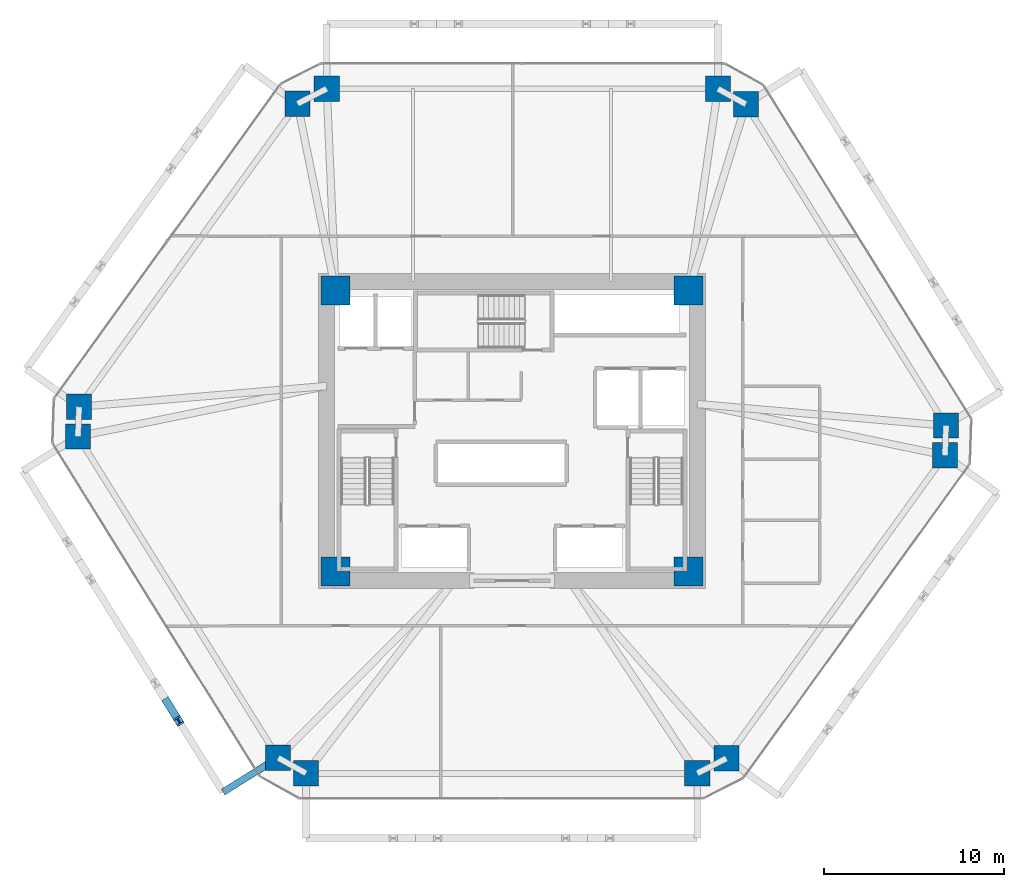
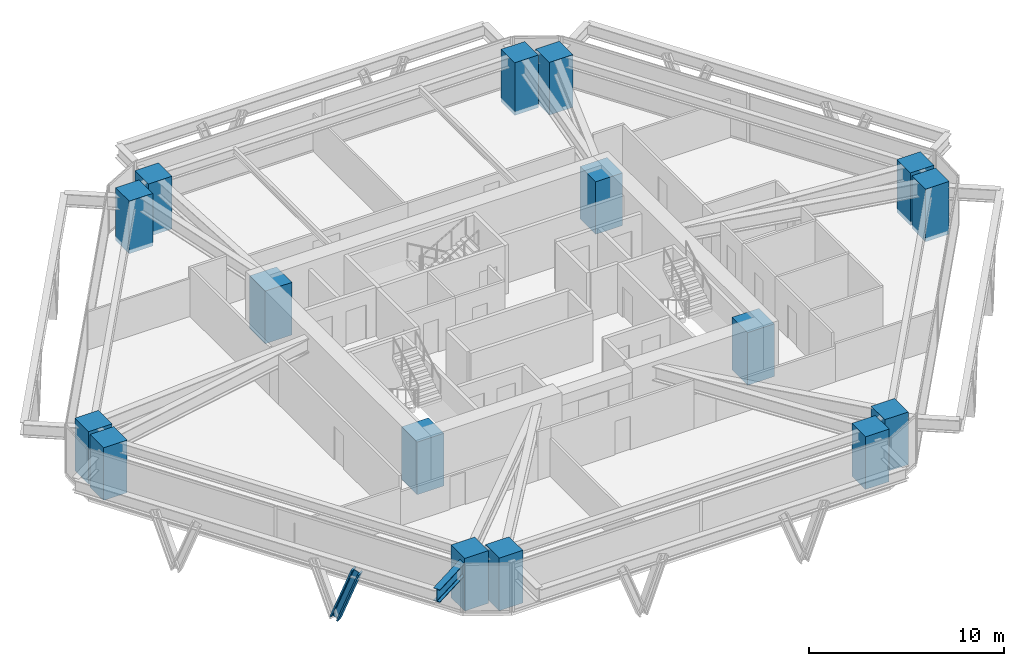
# One storey, part 1 of 14: 16 columns, 1 beam, 1 member.
"""IFC4 building model written with IfcOpenShell, lengths in metres."""

from ifc_helpers import new_model, si_unit, direction, frame, origin, origin_2d, place, context, subcontext, project, spatial, rectangle, i_section, extrude, source, transform, mapped, material, material_profile, profile_set, type_object, type_shapes, element, save


model = new_model("IFC4")

# Units and contexts
model_context = context("Model", 3, precision=1e-05, world=origin(), true_north=direction((0.0, 1.0)))
body_context = subcontext(model_context, "Body", "Model", "MODEL_VIEW")
ifc_project = project(units=[si_unit("LENGTHUNIT", "METRE"), si_unit("AREAUNIT", "SQUARE_METRE"), si_unit("VOLUMEUNIT", "CUBIC_METRE"), si_unit("PLANEANGLEUNIT", "RADIAN"), si_unit("MASSUNIT", "GRAM", prefix="KILO")], contexts=[model_context])

# Site, building, storey
site_placement = place(None, origin())
site = spatial("IfcSite", under=ifc_project, at=site_placement, CompositionType="ELEMENT")
building_placement = place(site_placement, origin())
building = spatial("IfcBuilding", under=site, at=building_placement, Name="Durnholm Broadcast Tower", CompositionType="ELEMENT")
storey_placement = place(building_placement, frame((0.0, 0.0, 35.699951171875)))
storey = spatial("IfcBuildingStorey", under=building, at=storey_placement, Name="L07", CompositionType="ELEMENT", Elevation=35.699951171875)

# Columns
ifc_material_1 = material(Name="Concrete C70/85", Category="concrete")
ifc_material_profile_1 = material_profile(ifc_material_1, rectangle(XDim=1.60009765625, YDim=1.60009765625, at=origin_2d()), Name="RC1600X1600")
ifc_profile_set_1 = profile_set([ifc_material_profile_1], Name="Concrete C70/85")
column_type_1 = type_object("IfcColumnType", Name="COL-CC-1600", PredefinedType="COLUMN", material=ifc_profile_set_1)
shared_shape_1 = source(origin(), body_context, "Body", "SweptSolid", [
    extrude(rectangle(XDim=1.60009765625, YDim=1.60009765625, at=origin_2d()), origin(), (0.0, 0.0, 1.0), 3.300048828125),
])
type_shapes(column_type_1, [shared_shape_1])
for number, where, z_axis, x_axis, name in (
    (1, (-9.800048828125, -7.800048828125, -0.239990234375), (0.0, 0.0, 1.0), (1.0, 0.0, 0.0), "L07 core corner column 1"),
    (2, (9.800048828125, -7.800048828125, -0.239990234375), (0.0, 0.0, 1.0), (1.0, 0.0, 0.0), "L07 core corner column 2"),
    (3, (9.800048828125, 7.800048828125, -0.239990234375), (0.0, 0.0, 1.0), (1.0, 0.0, 0.0), "L07 core corner column 3"),
    (4, (-9.800048828125, 7.800048828125, -0.239990234375), (0.0, 0.0, 1.0), (1.0, 0.0, 0.0), "L07 core corner column 4"),
):
    element("IfcColumn", number, at=place(storey_placement, frame(where, z_axis=z_axis, x_axis=x_axis)), inside=storey, type_object=column_type_1, Name=name, PredefinedType="COLUMN", context=body_context, shape_type="MappedRepresentation", body=[
        mapped(shared_shape_1, transform((0.0, 0.0, 0.0), x_axis=(1.0, 0.0, 0.0), y_axis=(0.0, 1.0, 0.0), z_axis=(0.0, 0.0, 1.0), scale=1.0)),
    ])
ifc_material_profile_2 = material_profile(ifc_material_1, rectangle(XDim=1.39990234375, YDim=1.39990234375, at=origin_2d()), Name="RC1400X1400")
ifc_profile_set_2 = profile_set([ifc_material_profile_2], Name="Concrete C70/85")
column_type_2 = type_object("IfcColumnType", Name="COL-CC-1400", PredefinedType="COLUMN", material=ifc_profile_set_2)
shared_shape_2 = source(origin(), body_context, "Body", "SweptSolid", [
    extrude(rectangle(XDim=1.39990234375, YDim=1.39990234375, at=origin_2d()), origin(), (0.0, 0.0, 1.0), 3.300048828125),
])
type_shapes(column_type_2, [shared_shape_2])
for number, where, z_axis, x_axis, name in (
    (5, (-12.982666015625, -18.138427734375, -0.239990234375), (0.0, 0.0, 1.0), (1.0, 0.0, 0.0), "L07 perimeter hexagonal tube column 01"),
    (6, (-24.0908203125, -0.2998046875, -0.239990234375), (0.0, 0.0, 1.0), (1.0, 0.0, 0.0), "L07 perimeter hexagonal tube column 02"),
    (7, (-24.034912109375, 1.347412109375, -0.239990234375), (0.0, 0.0, 1.0), (1.0, 0.0, 0.0), "L07 perimeter hexagonal tube column 03"),
    (8, (-11.907470703125, 18.16845703125, -0.239990234375), (0.0, 0.0, 1.0), (1.0, 0.0, 0.0), "L07 perimeter hexagonal tube column 04"),
    (9, (-10.28271484375, 19.0, -0.239990234375), (0.0, 0.0, 1.0), (1.0, 0.0, 0.0), "L07 perimeter hexagonal tube column 05"),
    (10, (11.43115234375, 19.0, -0.239990234375), (0.0, 0.0, 1.0), (1.0, 0.0, 0.0), "L07 perimeter hexagonal tube column 06"),
    (11, (12.982666015625, 18.138427734375, -0.239990234375), (0.0, 0.0, 1.0), (1.0, 0.0, 0.0), "L07 perimeter hexagonal tube column 07"),
    (12, (24.0908203125, 0.2998046875, -0.239990234375), (0.0, 0.0, 1.0), (1.0, 0.0, 0.0), "L07 perimeter hexagonal tube column 08"),
    (13, (24.034912109375, -1.347412109375, -0.239990234375), (0.0, 0.0, 1.0), (1.0, 0.0, 0.0), "L07 perimeter hexagonal tube column 09"),
    (14, (11.907470703125, -18.16845703125, -0.239990234375), (0.0, 0.0, 1.0), (1.0, 0.0, 0.0), "L07 perimeter hexagonal tube column 10"),
    (15, (10.28271484375, -19.0, -0.239990234375), (0.0, 0.0, 1.0), (1.0, 0.0, 0.0), "L07 perimeter hexagonal tube column 11"),
    (16, (-11.43115234375, -19.0, -0.239990234375), (0.0, 0.0, 1.0), (1.0, 0.0, 0.0), "L07 perimeter hexagonal tube column 12"),
):
    element("IfcColumn", number, at=place(storey_placement, frame(where, z_axis=z_axis, x_axis=x_axis)), inside=storey, type_object=column_type_2, Name=name, PredefinedType="COLUMN", context=body_context, shape_type="MappedRepresentation", body=[
        mapped(shared_shape_2, transform((0.0, 0.0, 0.0), x_axis=(1.0, 0.0, 0.0), y_axis=(0.0, 1.0, 0.0), z_axis=(0.0, 0.0, 1.0), scale=1.0)),
    ])

# Beam
ifc_material_2 = material(Name="Steel ASTM A992 Grade 50", Category="steel")
ifc_material_profile_3 = material_profile(ifc_material_2, i_section(OverallWidth=0.385009765625, OverallDepth=0.802978515625, WebThickness=0.023681640625, FlangeThickness=0.0419921875, FilletRadius=0.032958984375, at=origin_2d()), Name="W30X261")
ifc_profile_set_3 = profile_set([ifc_material_profile_3], Name="Steel ASTM A992 Grade 50")
beam_type = type_object("IfcBeamType", Name="BM-EXO-TIE", PredefinedType="USERDEFINED", material=ifc_profile_set_3)
shared_shape_3 = source(origin(), body_context, "Body", "SweptSolid", [
    extrude(i_section(OverallWidth=0.385009765625, OverallDepth=0.802978515625, WebThickness=0.023681640625, FlangeThickness=0.0419921875, FilletRadius=0.032958984375, at=origin_2d()), origin(), (0.0, 0.0, 1.0), 3.4560546875),
])
type_shapes(beam_type, [shared_shape_3])
beam_placement = place(storey_placement, frame((-13.10498046875, -18.214599609375, 2.30859375), z_axis=(-0.848854443891, -0.528626648105, 0.0), x_axis=(0.528626648105, -0.848854443891, 0.0)))
element("IfcBeam", 17, at=beam_placement, inside=storey, type_object=beam_type, Name="L07 exoskeleton stand-off tie bracket F6.2", ObjectType="GIRDER", PredefinedType="USERDEFINED", context=body_context, shape_type="MappedRepresentation", body=[
    mapped(shared_shape_3, transform((0.0, 0.0, 0.0), x_axis=(1.0, 0.0, 0.0), y_axis=(0.0, 1.0, 0.0), z_axis=(0.0, 0.0, 1.0), scale=1.0)),
])

# Member
ifc_material_3 = material(Name="Steel ASTM A913 Grade 65", Category="steel")
ifc_material_profile_4 = material_profile(ifc_material_3, i_section(OverallWidth=0.43212890625, OverallDepth=0.497802734375, WebThickness=0.0556640625, FlangeThickness=0.0888671875, FilletRadius=0.030517578125, at=origin_2d()), Name="W14X500")
ifc_profile_set_4 = profile_set([ifc_material_profile_4], Name="Steel ASTM A913 Grade 65")
member_type = type_object("IfcMemberType", Name="STL-DG-W14X500", PredefinedType="BRACE", material=ifc_profile_set_4)
shared_shape_4 = source(origin(), body_context, "Body", "SweptSolid", [
    extrude(i_section(OverallWidth=0.43212890625, OverallDepth=0.497802734375, WebThickness=0.0556640625, FlangeThickness=0.0888671875, FilletRadius=0.030517578125, at=origin_2d()), origin(), (0.0, 0.0, 1.0), 3.523193359375),
])
type_shapes(member_type, [shared_shape_4])
member_placement = place(storey_placement, frame((-19.14892578125, -15.04638671875, -0.991455078125), z_axis=(0.185090383068, -0.297281072018, 0.936677913861), x_axis=(0.848908635391, 0.528539618911, 0.0)))
element("IfcMember", 18, at=member_placement, inside=storey, type_object=member_type, Name="L07 stand-off diagrid brace F6.D2.2", PredefinedType="BRACE", context=body_context, shape_type="MappedRepresentation", body=[
    mapped(shared_shape_4, transform((0.0, 0.0, 0.0), x_axis=(1.0, 0.0, 0.0), y_axis=(0.0, 1.0, 0.0), z_axis=(0.0, 0.0, 1.0), scale=1.0)),
])

save(model, "model.ifc")
